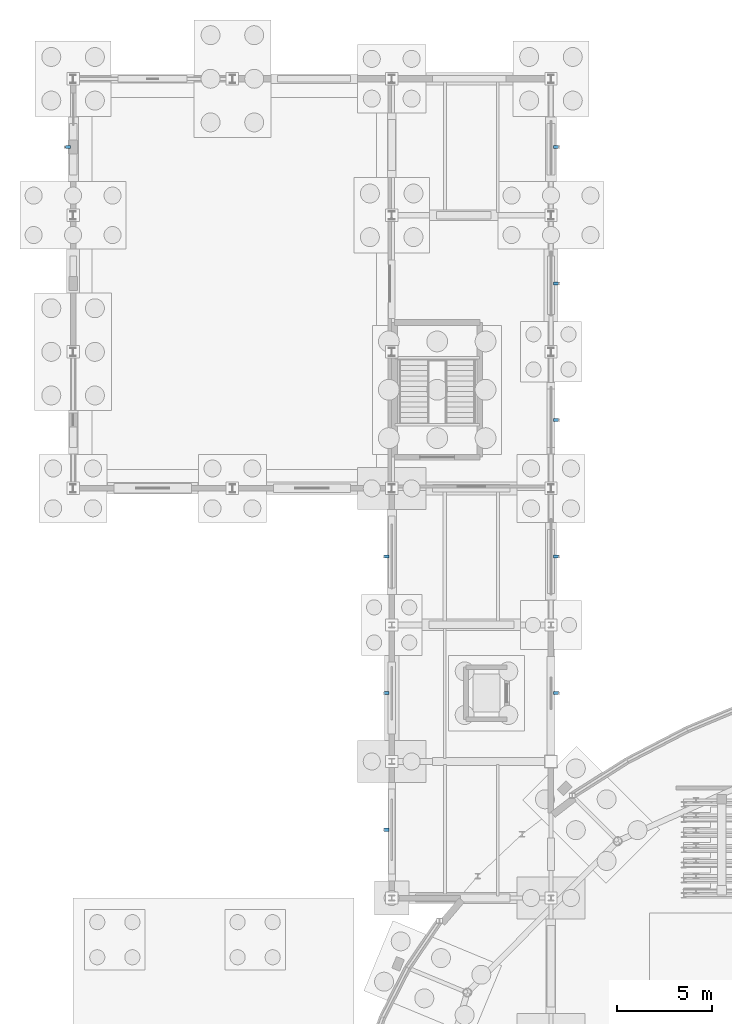
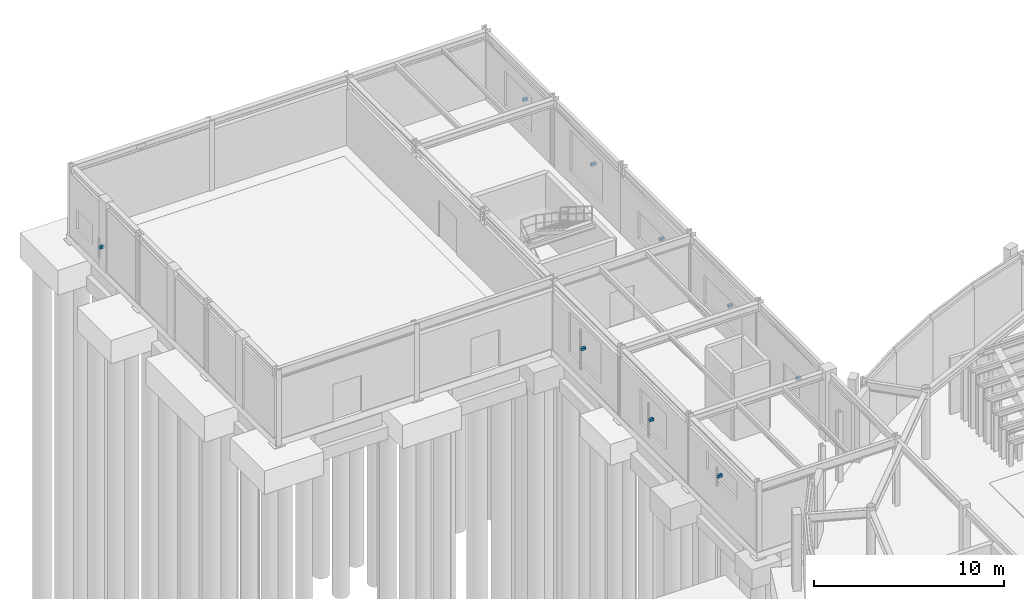
# One storey, part 70 of 93: 9 discrete accessories.
"""IFC4 building model written with IfcOpenShell, lengths in metres."""

import ifcopenshell
import ifcopenshell.guid

model = None  # the IFC model being written
_history = None  # IfcOwnerHistory: only IFC2X3 demands one
_inside = {}  # id of a spatial element -> (the spatial element, [elements in it])
_under = {}  # id of a project, library or spatial element -> (it, [spatial elements below it])
_declared = {}  # id of a project -> (the project, [libraries it declares])
_typed = {}  # id of a type object -> (the type object, [elements of that type])
_made_of = {}  # id of a material, layer set ... -> (it, [elements and type objects made of it])


def new_model(schema):
    """Start an empty IFC model of exactly this schema.

    Asked for "IFC4X3", IfcOpenShell would pick the latest addendum, in which some entities
    have other attributes; the version numbers below select the first issue.
    IFC2X3 requires an IfcOwnerHistory on every rooted entity: one is made here for all.
    """
    global model, _history
    if schema == "IFC4X3":
        model = ifcopenshell.file(schema_version=(4, 3, 0, 0))
    else:
        model = ifcopenshell.file(schema=schema)
    _inside.clear()
    _under.clear()
    _declared.clear()
    _typed.clear()
    _made_of.clear()
    _history = None
    if model.schema == "IFC2X3":
        org = make("IfcOrganization", Name="unknown")
        user = make(
            "IfcPersonAndOrganization",
            ThePerson=make("IfcPerson", FamilyName="unknown"),
            TheOrganization=org,
        )
        app = make(
            "IfcApplication",
            ApplicationDeveloper=org,
            Version="unknown",
            ApplicationFullName="unknown",
            ApplicationIdentifier="unknown",
        )
        _history = make(
            "IfcOwnerHistory",
            OwningUser=user,
            OwningApplication=app,
            ChangeAction="ADDED",
            CreationDate=0,
        )
    return model


def make(cls, **values):
    """One entity of the class cls with the attributes given. An attribute that is None is left unset."""
    return model.create_entity(
        cls, **{name: value for name, value in values.items() if value is not None}
    )


def rooted(cls, **values):
    """An entity with a GlobalId (a new one), such as an element, a storey or a relation."""
    return make(cls, GlobalId=ifcopenshell.guid.new(), OwnerHistory=_history, **values)


def si_unit(unit_type, name, prefix=None):
    """IfcSIUnit, for example si_unit("LENGTHUNIT", "METRE", prefix="MILLI")."""
    return make("IfcSIUnit", UnitType=unit_type, Prefix=prefix, Name=name)


def derived_unit(unit_type, elements):
    """IfcDerivedUnit: a product of units, each with its exponent."""
    return make(
        "IfcDerivedUnit",
        Elements=[
            make("IfcDerivedUnitElement", Unit=unit, Exponent=power)
            for unit, power in elements
        ],
        UnitType=unit_type,
    )


def assignment(units):
    """IfcUnitAssignment: the units of a project."""
    return None if units is None else make("IfcUnitAssignment", Units=units)


def point(xyz):
    """IfcCartesianPoint."""
    return None if xyz is None else make("IfcCartesianPoint", Coordinates=xyz)


def direction(xyz):
    """IfcDirection."""
    return None if xyz is None else make("IfcDirection", DirectionRatios=xyz)


def frame(location, z_axis=None, x_axis=None):
    """IfcAxis2Placement3D, a coordinate frame: its origin and axes. An axis left out is left unset."""
    return make(
        "IfcAxis2Placement3D",
        Location=point(location),
        Axis=direction(z_axis),
        RefDirection=direction(x_axis),
    )


def frame_2d(location, x_axis=None):
    """IfcAxis2Placement2D, a coordinate frame in the plane: its origin and x axis."""
    return make(
        "IfcAxis2Placement2D", Location=point(location), RefDirection=direction(x_axis)
    )


def origin():
    """The frame at (0, 0, 0) with its axes left unset."""
    return frame((0.0, 0.0, 0.0))


def origin_2d():
    """The frame at (0, 0) in the plane with its x axis left unset."""
    return frame_2d((0.0, 0.0))


def place(relative_to, where):
    """IfcLocalPlacement: puts the frame where relative to a parent placement (None: the world)."""
    return make(
        "IfcLocalPlacement", PlacementRelTo=relative_to, RelativePlacement=where
    )


def context(
    kind, dimensions, precision=None, world=None, true_north=None, identifier=None
):
    """IfcGeometricRepresentationContext, for example the 3D "Model" context."""
    return make(
        "IfcGeometricRepresentationContext",
        ContextIdentifier=identifier,
        ContextType=kind,
        CoordinateSpaceDimension=dimensions,
        Precision=precision,
        WorldCoordinateSystem=world,
        TrueNorth=true_north,
    )


def subcontext(parent, identifier, kind, view, scale=None):
    """IfcGeometricRepresentationSubContext, for example "Body" below "Model"."""
    return make(
        "IfcGeometricRepresentationSubContext",
        ContextIdentifier=identifier,
        ContextType=kind,
        ParentContext=parent,
        TargetScale=scale,
        TargetView=view,
    )


def project(units=None, contexts=None):
    """IfcProject with its units and contexts."""
    return rooted(
        "IfcProject",
        Name="project",
        RepresentationContexts=contexts,
        UnitsInContext=assignment(units),
    )


def spatial(cls, under=None, at=None, **own):
    """A site, building, storey or space (cls), placed at a placement, below another one or the project."""
    s = rooted(cls, ObjectPlacement=at, **own)
    if under is not None:
        _under.setdefault(under.id(), (under, []))[1].append(s)
    return s


def profile(cls, at=None, kind="AREA", **sizes):
    """A parametric profile (cls). Its sizes go by their IFC names, for example OverallWidth=200.0."""
    return make(cls, ProfileType=kind, Position=at, **sizes)


def rectangle(**sizes):
    """IfcRectangleProfileDef."""
    return profile("IfcRectangleProfileDef", **sizes)


def extrude(swept, where, along, depth):
    """IfcExtrudedAreaSolid: the profile swept, set in the frame where, extruded along a direction by depth."""
    return make(
        "IfcExtrudedAreaSolid",
        SweptArea=swept,
        Position=where,
        ExtrudedDirection=direction(along),
        Depth=depth,
    )


def shape(context_of_items, identifier, shape_type, items):
    """IfcShapeRepresentation: the items that make up one representation, for example the "Body"."""
    return make(
        "IfcShapeRepresentation",
        ContextOfItems=context_of_items,
        RepresentationIdentifier=identifier,
        RepresentationType=shape_type,
        Items=items,
    )


def material(Name=None, Category=None):
    """IfcMaterial."""
    return make("IfcMaterial", Name=Name, Category=Category)


def made_of(thing, what):
    """Note that an element or type object is made of a material, layer set ...; save() writes the relation."""
    if what is not None:
        _made_of.setdefault(what.id(), (what, []))[1].append(thing)
    return thing


def type_object(cls, material=None, **own):
    """A type object (cls), such as IfcWallType, which elements share."""
    return made_of(rooted(cls, **own), material)


def element(
    cls,
    number,
    at=None,
    inside=None,
    cuts=None,
    type_object=None,
    material=None,
    context=None,
    identifier="Body",
    shape_type=None,
    held_by="IfcProductDefinitionShape",
    body=None,
    shapes=None,
    **own,
):
    """One element of the class cls, such as IfcWall. Its Tag is "e" and its number.

    at: its placement. inside: the storey or other place that contains it. cuts: it is an
    opening in that element (IfcRelVoidsElement). A single representation is given by context,
    identifier, shape_type and body (its items); several are given by shapes. held_by: the class
    of the entity that holds the representations. save() writes the other relations.
    """
    e = rooted(cls, Tag="e%d" % number, ObjectPlacement=at, **own)
    if body is not None:
        shapes = [shape(context, identifier, shape_type, body)]
    if shapes is not None:
        e.Representation = make(held_by, Representations=shapes)
    if inside is not None:
        _inside.setdefault(inside.id(), (inside, []))[1].append(e)
    if cuts is not None:
        rooted(
            "IfcRelVoidsElement", RelatingBuildingElement=cuts, RelatedOpeningElement=e
        )
    if type_object is not None:
        _typed.setdefault(type_object.id(), (type_object, []))[1].append(e)
    return made_of(e, material)


def aggregate(whole, parts):
    """IfcRelAggregates: a whole, such as a stair, and the parts it consists of."""
    return rooted("IfcRelAggregates", RelatingObject=whole, RelatedObjects=parts)


def save(model, path):
    """Write the relations noted so far, then the file.

    IfcRelAggregates (storeys below a building ...), IfcRelContainedInSpatialStructure (elements
    in a storey), IfcRelDefinesByType, IfcRelAssociatesMaterial and IfcRelDeclares: one each for
    every whole, place, type object, material and project.
    """
    for whole, parts in _under.values():
        aggregate(whole, parts)
    for where, things in _inside.values():
        rooted(
            "IfcRelContainedInSpatialStructure",
            RelatedElements=things,
            RelatingStructure=where,
        )
    for kind, things in _typed.values():
        rooted("IfcRelDefinesByType", RelatedObjects=things, RelatingType=kind)
    for what, things in _made_of.values():
        rooted("IfcRelAssociatesMaterial", RelatedObjects=things, RelatingMaterial=what)
    for by, libraries in _declared.values():
        rooted("IfcRelDeclares", RelatingContext=by, RelatedDefinitions=libraries)
    model.write(path)


model = new_model("IFC4")

# Units and contexts
model_context = context("Model", 3, precision=1e-05, world=origin(), true_north=direction((0.0, 1.0)))
body_context = subcontext(model_context, "Body", "Model", "MODEL_VIEW")
ifc_project = project(units=[si_unit("LENGTHUNIT", "METRE"), si_unit("AREAUNIT", "SQUARE_METRE"), si_unit("VOLUMEUNIT", "CUBIC_METRE"), si_unit("PLANEANGLEUNIT", "RADIAN"), si_unit("MASSUNIT", "GRAM", prefix="KILO"), derived_unit("THERMALTRANSMITTANCEUNIT", [(si_unit("MASSUNIT", "GRAM", prefix="KILO"), 1), (si_unit("TIMEUNIT", "SECOND"), -3), (si_unit("THERMODYNAMICTEMPERATUREUNIT", "KELVIN"), -1)])], contexts=[model_context])

# Site, building, storey
site_placement = place(None, origin())
site = spatial("IfcSite", under=ifc_project, at=site_placement, CompositionType="ELEMENT")
building_placement = place(site_placement, origin())
building = spatial("IfcBuilding", under=site, at=building_placement, Name="Kharveza Railside Sports Centre", CompositionType="ELEMENT")
storey_placement = place(building_placement, origin())
storey = spatial("IfcBuildingStorey", under=building, at=storey_placement, Name="L00", CompositionType="ELEMENT", Elevation=0.0)

# Discrete accessories
ifc_material = material(Name="Steel S275JR", Category="steel")
discrete_accessory_type = type_object("IfcDiscreteAccessoryType", Name="DA-BK01", PredefinedType="BRACKET", material=ifc_material)
for number, where, z_axis, x_axis, name in (
    (1, (16.52490234375, 82.800048828125, 2.06982421875), (0.0, 0.0, 1.0), (-1.0, 0.0, 0.0), "BK-FIN-017"),
    (2, (16.52490234375, 75.60009765625, 1.8701171875), (0.0, 0.0, 1.0), (-1.0, 0.0, 0.0), "BK-FIN-018"),
    (3, (16.52490234375, 68.39990234375, 2.6201171875), (0.0, 0.0, 1.0), (-1.0, 0.0, 0.0), "BK-FIN-019"),
    (4, (25.47509765625, 75.60009765625, 1.39501953125), (0.0, 0.0, 1.0), (1.0, 0.0, 0.0), "BK-FIN-020"),
    (5, (25.47509765625, 82.800048828125, 1.69482421875), (0.0, 0.0, 1.0), (1.0, 0.0, 0.0), "BK-FIN-021"),
    (6, (25.47509765625, 90.0, 1.6201171875), (0.0, 0.0, 1.0), (1.0, 0.0, 0.0), "BK-FIN-022"),
    (7, (25.47509765625, 97.199951171875, 2.06982421875), (0.0, 0.0, 1.0), (1.0, 0.0, 0.0), "BK-FIN-023"),
    (8, (25.47509765625, 104.39990234375, 1.8701171875), (0.0, 0.0, 1.0), (1.0, 0.0, 0.0), "BK-FIN-024"),
    (9, (-0.27490234375, 104.39990234375, 1.39501953125), (0.0, 0.0, 1.0), (-1.0, 0.0, 0.0), "BK-FIN-025"),
):
    element("IfcDiscreteAccessory", number, at=place(storey_placement, frame(where, z_axis=z_axis, x_axis=x_axis)), inside=storey, type_object=discrete_accessory_type, Name=name, PredefinedType="BRACKET", context=body_context, shape_type="SweptSolid", body=[
        extrude(rectangle(XDim=0.280029296875, YDim=0.159912109375, at=origin_2d()), origin(), (0.0, 0.0, 1.0), 0.159912109375),
    ])

save(model, "model.ifc")
